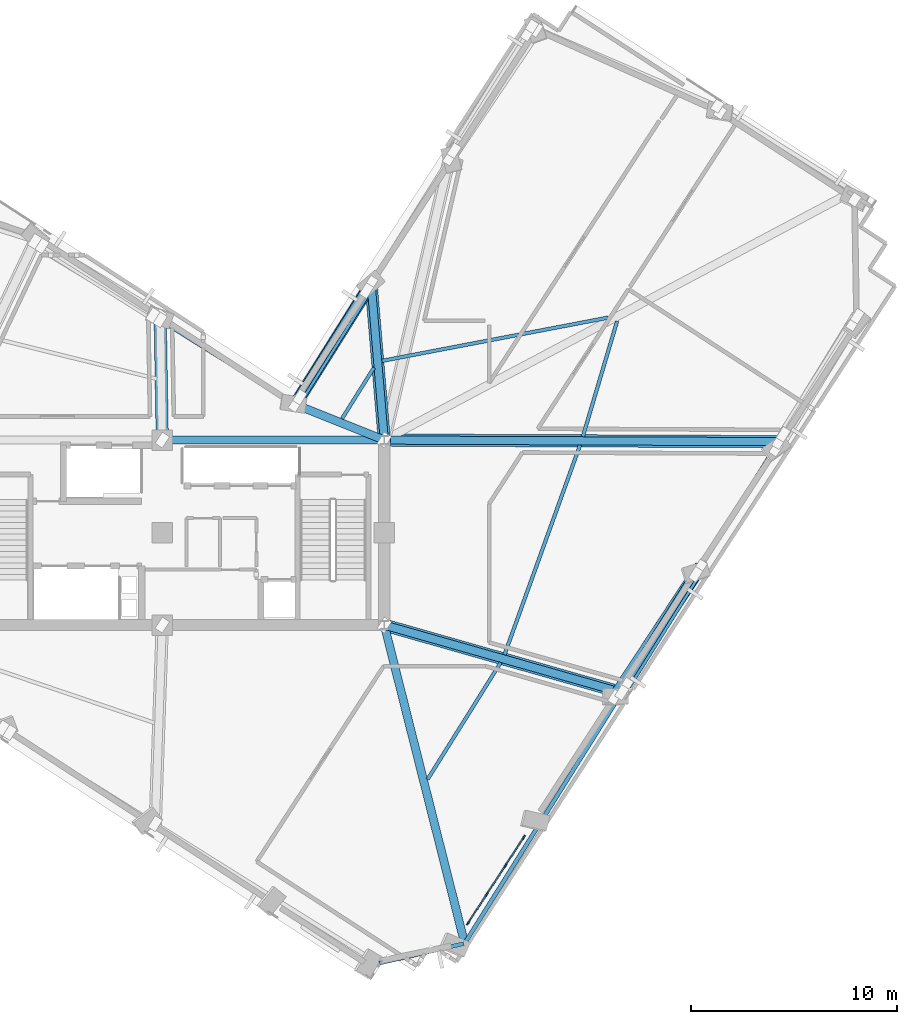
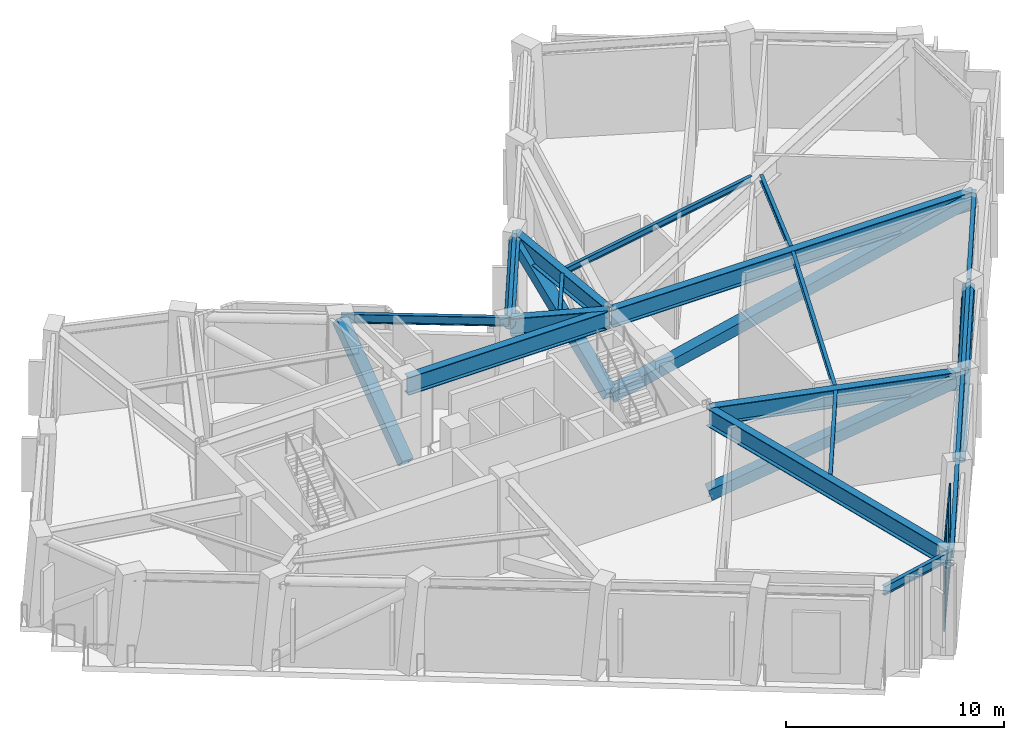
# One storey, part 2 of 11: 21 members, 18 beams, 1 element without a shape of its own.
"""IFC4 building model written with IfcOpenShell, lengths in metres."""

from ifc_helpers import new_model, si_unit, direction, frame, origin, origin_2d, place, context, subcontext, project, spatial, rectangle, hollow_rectangle, hollow_circle, i_section, extrude, material, material_profile, profile_set, type_object, element, aggregate, save


model = new_model("IFC4")

# Units and contexts
model_context = context("Model", 3, precision=1e-05, world=origin(), true_north=direction((0.0, 1.0)))
body_context = subcontext(model_context, "Body", "Model", "MODEL_VIEW")
ifc_project = project(units=[si_unit("LENGTHUNIT", "METRE"), si_unit("AREAUNIT", "SQUARE_METRE"), si_unit("VOLUMEUNIT", "CUBIC_METRE"), si_unit("PLANEANGLEUNIT", "RADIAN"), si_unit("MASSUNIT", "GRAM", prefix="KILO")], contexts=[model_context])

# Site, building, storey
site_placement = place(None, origin())
site = spatial("IfcSite", under=ifc_project, at=site_placement, CompositionType="ELEMENT")
building_placement = place(site_placement, origin())
building = spatial("IfcBuilding", under=site, at=building_placement, Name="Gaonmaruhae Medical Tower", CompositionType="ELEMENT")
storey_placement = place(building_placement, frame((0.0, 0.0, 267.199951171875)))
storey = spatial("IfcBuildingStorey", under=building, at=storey_placement, Name="L64", CompositionType="ELEMENT", Elevation=267.199951171875)

# Beams
ifc_material_1 = material(Name="Steel SM420", Category="steel")
ifc_material_profile_1 = material_profile(ifc_material_1, i_section(OverallWidth=0.39990234375, OverallDepth=1.0, WebThickness=0.02197265625, FlangeThickness=0.035888671875, at=origin_2d()), Name="BH-1000x400x22x36")
ifc_profile_set_1 = profile_set([ifc_material_profile_1], Name="Steel SM420")
beam_type_1 = type_object("IfcBeamType", Name="BG-02 Refuge Floor Primary Girder (BH-1000x400x22x36)", PredefinedType="BEAM", material=ifc_profile_set_1)
beam_1_placement = place(storey_placement, frame((24.85009765625, 16.800048828125, 4.679931640625), z_axis=(1.0, 0.0, 0.0), x_axis=(0.0, 1.0, 0.0)))
element("IfcBeam", 1, at=beam_1_placement, inside=storey, type_object=beam_type_1, Name="L64 Beam BM-L64-CG-N2", PredefinedType="BEAM", context=body_context, shape_type="SweptSolid", body=[
    extrude(i_section(OverallWidth=0.39990234375, OverallDepth=1.0, WebThickness=0.02197265625, FlangeThickness=0.035888671875, at=origin_2d()), origin(), (0.0, 0.0, 1.0), 10.699951171875),
])
beam_2_placement = place(storey_placement, frame((35.6123046875, 7.75146484375, 4.679931640625), z_axis=(0.244814776323, -0.969569866123, 0.0), x_axis=(0.969569866123, 0.244814776323, 0.0)))
element("IfcBeam", 2, at=beam_2_placement, inside=storey, type_object=beam_type_1, Name="L64 Radial Primary Girder S01", PredefinedType="BEAM", context=body_context, shape_type="SweptSolid", body=[
    extrude(i_section(OverallWidth=0.39990234375, OverallDepth=1.0, WebThickness=0.02197265625, FlangeThickness=0.035888671875, at=origin_2d()), origin(), (0.0, 0.0, 1.0), 15.874267578125),
])
beam_3_placement = place(storey_placement, frame((35.648193359375, 7.786376953125, 4.679931640625), z_axis=(0.961910552453, -0.273364388828, 0.0), x_axis=(0.273364388828, 0.961910552453, 0.0)))
element("IfcBeam", 3, at=beam_3_placement, inside=storey, type_object=beam_type_1, Name="L64 Radial Primary Girder S03", PredefinedType="BEAM", context=body_context, shape_type="SweptSolid", body=[
    extrude(i_section(OverallWidth=0.39990234375, OverallDepth=1.0, WebThickness=0.02197265625, FlangeThickness=0.035888671875, at=origin_2d()), origin(), (0.0, 0.0, 1.0), 11.909423828125),
])
beam_4_placement = place(storey_placement, frame((35.64990234375, 16.7998046875, 4.679931640625), z_axis=(0.999991785506, -0.004053260485, 0.0), x_axis=(0.004053260485, 0.999991785506, 0.0)))
element("IfcBeam", 4, at=beam_4_placement, inside=storey, type_object=beam_type_1, Name="L64 Radial Primary Girder S05", PredefinedType="BEAM", context=body_context, shape_type="SweptSolid", body=[
    extrude(i_section(OverallWidth=0.39990234375, OverallDepth=1.0, WebThickness=0.02197265625, FlangeThickness=0.035888671875, at=origin_2d()), origin(), (0.0, 0.0, 1.0), 19.093994140625),
])
beam_5_placement = place(storey_placement, frame((35.595703125, 16.849853515625, 4.679931640625), z_axis=(-0.084110572065, 0.99645642738, 0.0), x_axis=(-0.99645642738, -0.084110572065, 0.0)))
element("IfcBeam", 5, at=beam_5_placement, inside=storey, type_object=beam_type_1, Name="L64 Radial Primary Girder EN02", PredefinedType="BEAM", context=body_context, shape_type="SweptSolid", body=[
    extrude(i_section(OverallWidth=0.39990234375, OverallDepth=1.0, WebThickness=0.02197265625, FlangeThickness=0.035888671875, at=origin_2d()), origin(), (0.0, 0.0, 1.0), 7.5498046875),
])
beam_6_placement = place(storey_placement, frame((35.553466796875, 16.818603515625, 4.679931640625), z_axis=(-0.928520946208, 0.371280018926, 0.0), x_axis=(-0.371280018926, -0.928520946208, 0.0)))
element("IfcBeam", 6, at=beam_6_placement, inside=storey, type_object=beam_type_1, Name="L64 Radial Primary Girder KN01", PredefinedType="BEAM", context=body_context, shape_type="SweptSolid", body=[
    extrude(i_section(OverallWidth=0.39990234375, OverallDepth=1.0, WebThickness=0.02197265625, FlangeThickness=0.035888671875, at=origin_2d()), origin(), (0.0, 0.0, 1.0), 4.564697265625),
])

# Members
ifc_material_2 = material(Name="Steel HSA650 (650 MPa)", Category="steel")
ifc_material_profile_2 = material_profile(ifc_material_2, hollow_circle(Radius=0.25390625, WallThickness=0.01611328125, at=origin_2d()), Name="CHS-508.0x16.0")
ifc_profile_set_2 = profile_set([ifc_material_profile_2], Name="Steel HSA650 (650 MPa)")
member_type_1 = type_object("IfcMemberType", Name="BT-C1 Belt Truss Perimeter Chord (CHS-508.0x16.0)", PredefinedType="CHORD", material=ifc_profile_set_2)
member_1_placement = place(storey_placement, frame((47.375, 4.873046875, 4.830078125), z_axis=(0.530661276733, 0.847583983671, 0.0), x_axis=(-0.847583983671, 0.530661276733, 0.0)))
element("IfcMember", 7, at=member_1_placement, inside=storey, type_object=member_type_1, Name="L64 Belt Truss Top Chord BTC01", PredefinedType="CHORD", context=body_context, shape_type="SweptSolid", body=[
    extrude(hollow_circle(Radius=0.25390625, WallThickness=0.01611328125, at=origin_2d()), origin(), (0.0, 0.0, 1.0), 6.360107421875),
])
member_2_placement = place(storey_placement, frame((34.733642578125, 24.066650390625, 4.830078125), z_axis=(-0.530674006863, -0.84757601337, 0.0), x_axis=(0.84757601337, -0.530674006863, 0.0)))
element("IfcMember", 8, at=member_2_placement, inside=storey, type_object=member_type_1, Name="L64 Belt Truss Top Chord BTC04", PredefinedType="CHORD", context=body_context, shape_type="SweptSolid", body=[
    extrude(hollow_circle(Radius=0.25390625, WallThickness=0.01611328125, at=origin_2d()), origin(), (0.0, 0.0, 1.0), 6.110107421875),
])
ifc_material_profile_3 = material_profile(ifc_material_2, hollow_circle(Radius=0.3046875, WallThickness=0.02197265625, at=origin_2d()), Name="CHS-609.6x22.0")
ifc_profile_set_3 = profile_set([ifc_material_profile_3], Name="Steel HSA650 (650 MPa)")
member_type_2 = type_object("IfcMemberType", Name="BT-D2 Belt Truss Diagonal Tubular (CHS-609.6x22.0)", PredefinedType="BRACE", material=ifc_profile_set_3)
member_3_placement = place(storey_placement, frame((46.81396484375, 4.295166015625, 0.35009765625), z_axis=(0.472832889232, 0.719033518964, 0.509332757112), x_axis=(-0.835532033043, 0.549441736456, 0.0)))
element("IfcMember", 9, at=member_3_placement, inside=storey, type_object=member_type_2, Name="L64 Belt Truss Diagonal BTD01", PredefinedType="BRACE", context=body_context, shape_type="SweptSolid", body=[
    extrude(hollow_circle(Radius=0.3046875, WallThickness=0.02197265625, at=origin_2d()), origin(), (0.0, 0.0, 1.0), 8.7958984375),
])
member_4_placement = place(storey_placement, frame((34.949951171875, 24.400146484375, 0.35009765625), z_axis=(-0.446267494695, -0.711305404674, 0.543037700773), x_axis=(0.847086293338, -0.531455371257, 0.0)))
element("IfcMember", 10, at=member_4_placement, inside=storey, type_object=member_type_2, Name="L64 Belt Truss Diagonal BTD04", PredefinedType="BRACE", context=body_context, shape_type="SweptSolid", body=[
    extrude(hollow_circle(Radius=0.3046875, WallThickness=0.02197265625, at=origin_2d()), origin(), (0.0, 0.0, 1.0), 8.249755859375),
])

# Curtain wall, members
ifc_material_3 = material(Name="Anodised aluminium and Low-E double glazing", Category="aluminium")
curtain_wall_type = type_object("IfcCurtainWallType", Name="CW-S2 Express Sky Lobby Feature Curtain Wall", PredefinedType="NOTDEFINED", material=ifc_material_3)
curtain_wall_placement = place(storey_placement, origin())
curtain_wall = element("IfcCurtainWall", 11, at=curtain_wall_placement, inside=storey, type_object=curtain_wall_type, Name="L64 Curtain Wall CW-L64-S01", PredefinedType="NOTDEFINED")
ifc_material_4 = material(Name="Anodised aluminium 6063-T6", Category="aluminium")
ifc_material_profile_4 = material_profile(ifc_material_4, rectangle(XDim=0.074951171875, YDim=0.219970703125, at=origin_2d()), Name="CWM-75x220")
ifc_profile_set_4 = profile_set([ifc_material_profile_4], Name="Anodised aluminium 6063-T6")
member_type_3 = type_object("IfcMemberType", Name="CWM-1 Heavy Atrium Curtain Wall Mullion (CWM-75x220)", PredefinedType="MULLION", material=ifc_profile_set_4)
member_5_placement = place(storey_placement, frame((42.385986328125, -2.5234375, 0.0), z_axis=(0.0, 0.0, 1.0), x_axis=(0.838667842457, -0.544643231876, 0.0)))
member_5 = element("IfcMember", 12, at=member_5_placement, type_object=member_type_3, Name="CW-S2 mullion 1", PredefinedType="MULLION", context=body_context, shape_type="SweptSolid", body=[
    extrude(rectangle(XDim=0.074951171875, YDim=0.219970703125, at=origin_2d()), origin(), (0.0, 0.0, 1.0), 4.6650390625),
])
member_6_placement = place(storey_placement, frame((41.4892578125, -3.904541015625, 0.0), z_axis=(0.0, 0.0, 1.0), x_axis=(0.838667842457, -0.544643231876, 0.0)))
member_6 = element("IfcMember", 13, at=member_6_placement, type_object=member_type_3, Name="CW-S2 mullion 2", PredefinedType="MULLION", context=body_context, shape_type="SweptSolid", body=[
    extrude(rectangle(XDim=0.074951171875, YDim=0.219970703125, at=origin_2d()), origin(), (0.0, 0.0, 1.0), 4.6650390625),
])
member_7_placement = place(storey_placement, frame((40.572021484375, -5.31689453125, 0.0), z_axis=(0.0, 0.0, 1.0), x_axis=(0.838667842457, -0.544643231876, 0.0)))
member_7 = element("IfcMember", 14, at=member_7_placement, type_object=member_type_3, Name="CW-S2 mullion 3", PredefinedType="MULLION", context=body_context, shape_type="SweptSolid", body=[
    extrude(rectangle(XDim=0.074951171875, YDim=0.219970703125, at=origin_2d()), origin(), (0.0, 0.0, 1.0), 4.6650390625),
])
member_8_placement = place(storey_placement, frame((39.675048828125, -6.69775390625, 0.0), z_axis=(0.0, 0.0, 1.0), x_axis=(0.838667842457, -0.544643231876, 0.0)))
member_8 = element("IfcMember", 15, at=member_8_placement, type_object=member_type_3, Name="CW-S2 mullion 4", PredefinedType="MULLION", context=body_context, shape_type="SweptSolid", body=[
    extrude(rectangle(XDim=0.074951171875, YDim=0.219970703125, at=origin_2d()), origin(), (0.0, 0.0, 1.0), 4.6650390625),
])
ifc_material_profile_5 = material_profile(ifc_material_4, rectangle(XDim=0.06494140625, YDim=0.139892578125, at=origin_2d()), Name="CWT-65x140")
ifc_profile_set_5 = profile_set([ifc_material_profile_5], Name="Anodised aluminium 6063-T6")
member_type_4 = type_object("IfcMemberType", Name="CWT-2 Tower Feature Curtain Wall Transom (CWT-65x140)", PredefinedType="USERDEFINED", material=ifc_profile_set_5)
member_9_placement = place(storey_placement, frame((42.365478515625, -2.554931640625, 0.032470703125), z_axis=(-0.544622471365, -0.838681324273, 0.0), x_axis=(0.838681324273, -0.544622471365, 0.0)))
member_9 = element("IfcMember", 16, at=member_9_placement, type_object=member_type_4, Name="CW-S2 transom 1.1", ObjectType="TRANSOM", PredefinedType="USERDEFINED", context=body_context, shape_type="SweptSolid", body=[
    extrude(rectangle(XDim=0.06494140625, YDim=0.139892578125, at=origin_2d()), origin(), (0.0, 0.0, 1.0), 1.571533203125),
])
member_10_placement = place(storey_placement, frame((42.365478515625, -2.554931640625, 2.33251953125), z_axis=(-0.544622471365, -0.838681324273, 0.0), x_axis=(0.838681324273, -0.544622471365, 0.0)))
member_10 = element("IfcMember", 17, at=member_10_placement, type_object=member_type_4, Name="CW-S2 transom 1.2", ObjectType="TRANSOM", PredefinedType="USERDEFINED", context=body_context, shape_type="SweptSolid", body=[
    extrude(rectangle(XDim=0.06494140625, YDim=0.139892578125, at=origin_2d()), origin(), (0.0, 0.0, 1.0), 1.571533203125),
])
member_11_placement = place(storey_placement, frame((42.365478515625, -2.554931640625, 4.632568359375), z_axis=(-0.544622471365, -0.838681324273, 0.0), x_axis=(0.838681324273, -0.544622471365, 0.0)))
member_11 = element("IfcMember", 18, at=member_11_placement, type_object=member_type_4, Name="CW-S2 transom 1.3", ObjectType="TRANSOM", PredefinedType="USERDEFINED", context=body_context, shape_type="SweptSolid", body=[
    extrude(rectangle(XDim=0.06494140625, YDim=0.139892578125, at=origin_2d()), origin(), (0.0, 0.0, 1.0), 1.571533203125),
])
member_12_placement = place(storey_placement, frame((41.46875, -3.93603515625, 0.032470703125), z_axis=(-0.544716325085, -0.838620370124, 0.0), x_axis=(0.838620370124, -0.544716325085, 0.0)))
member_12 = element("IfcMember", 19, at=member_12_placement, type_object=member_type_4, Name="CW-S2 transom 2.1", ObjectType="TRANSOM", PredefinedType="USERDEFINED", context=body_context, shape_type="SweptSolid", body=[
    extrude(rectangle(XDim=0.06494140625, YDim=0.139892578125, at=origin_2d()), origin(), (0.0, 0.0, 1.0), 1.609130859375),
])
member_13_placement = place(storey_placement, frame((41.46875, -3.93603515625, 2.33251953125), z_axis=(-0.544716325085, -0.838620370124, 0.0), x_axis=(0.838620370124, -0.544716325085, 0.0)))
member_13 = element("IfcMember", 20, at=member_13_placement, type_object=member_type_4, Name="CW-S2 transom 2.2", ObjectType="TRANSOM", PredefinedType="USERDEFINED", context=body_context, shape_type="SweptSolid", body=[
    extrude(rectangle(XDim=0.06494140625, YDim=0.139892578125, at=origin_2d()), origin(), (0.0, 0.0, 1.0), 1.609130859375),
])
member_14_placement = place(storey_placement, frame((41.46875, -3.93603515625, 4.632568359375), z_axis=(-0.544716325085, -0.838620370124, 0.0), x_axis=(0.838620370124, -0.544716325085, 0.0)))
member_14 = element("IfcMember", 21, at=member_14_placement, type_object=member_type_4, Name="CW-S2 transom 2.3", ObjectType="TRANSOM", PredefinedType="USERDEFINED", context=body_context, shape_type="SweptSolid", body=[
    extrude(rectangle(XDim=0.06494140625, YDim=0.139892578125, at=origin_2d()), origin(), (0.0, 0.0, 1.0), 1.609130859375),
])
member_15_placement = place(storey_placement, frame((40.551513671875, -5.348388671875, 0.032470703125), z_axis=(-0.544622471365, -0.838681324273, 0.0), x_axis=(0.838681324273, -0.544622471365, 0.0)))
member_15 = element("IfcMember", 22, at=member_15_placement, type_object=member_type_4, Name="CW-S2 transom 3.1", ObjectType="TRANSOM", PredefinedType="USERDEFINED", context=body_context, shape_type="SweptSolid", body=[
    extrude(rectangle(XDim=0.06494140625, YDim=0.139892578125, at=origin_2d()), origin(), (0.0, 0.0, 1.0), 1.571533203125),
])
member_16_placement = place(storey_placement, frame((40.551513671875, -5.348388671875, 2.33251953125), z_axis=(-0.544622471365, -0.838681324273, 0.0), x_axis=(0.838681324273, -0.544622471365, 0.0)))
member_16 = element("IfcMember", 23, at=member_16_placement, type_object=member_type_4, Name="CW-S2 transom 3.2", ObjectType="TRANSOM", PredefinedType="USERDEFINED", context=body_context, shape_type="SweptSolid", body=[
    extrude(rectangle(XDim=0.06494140625, YDim=0.139892578125, at=origin_2d()), origin(), (0.0, 0.0, 1.0), 1.571533203125),
])
member_17_placement = place(storey_placement, frame((40.551513671875, -5.348388671875, 4.632568359375), z_axis=(-0.544622471365, -0.838681324273, 0.0), x_axis=(0.838681324273, -0.544622471365, 0.0)))
member_17 = element("IfcMember", 24, at=member_17_placement, type_object=member_type_4, Name="CW-S2 transom 3.3", ObjectType="TRANSOM", PredefinedType="USERDEFINED", context=body_context, shape_type="SweptSolid", body=[
    extrude(rectangle(XDim=0.06494140625, YDim=0.139892578125, at=origin_2d()), origin(), (0.0, 0.0, 1.0), 1.571533203125),
])
aggregate(curtain_wall, [member_5, member_6, member_7, member_8, member_9, member_10, member_11, member_12, member_13, member_14, member_15, member_16, member_17])

# Beams
ifc_material_5 = material(Name="Steel SM355", Category="steel")
ifc_material_profile_6 = material_profile(ifc_material_5, i_section(OverallWidth=0.175048828125, OverallDepth=0.35009765625, WebThickness=0.007080078125, FlangeThickness=0.010986328125, FilletRadius=0.012939453125, at=origin_2d()), Name="H-350x175x7x11")
ifc_profile_set_6 = profile_set([ifc_material_profile_6], Name="Steel SM355")
beam_type_2 = type_object("IfcBeamType", Name="FJ-02 Upper Zone Ward Floor Joist (H-350x175x7x11)", PredefinedType="JOIST", material=ifc_profile_set_6)
beam_7_placement = place(storey_placement, frame((37.70556640625, 0.295654296875, 5.005126953125), z_axis=(0.530660139042, 0.847584695964, 0.0), x_axis=(-0.847584695964, 0.530660139042, 0.0)))
element("IfcBeam", 25, at=beam_7_placement, inside=storey, type_object=beam_type_2, Name="L64 Secondary Floor Joist FJ01", PredefinedType="JOIST", context=body_context, shape_type="SweptSolid", body=[
    extrude(i_section(OverallWidth=0.175048828125, OverallDepth=0.35009765625, WebThickness=0.007080078125, FlangeThickness=0.010986328125, FilletRadius=0.012939453125, at=origin_2d()), origin(), (0.0, 0.0, 1.0), 6.70263671875),
])
beam_8_placement = place(storey_placement, frame((41.446044921875, 6.352783203125, 5.005126953125), z_axis=(0.339023164537, 0.940778025842, 0.0), x_axis=(-0.940778025842, 0.339023164537, 0.0)))
element("IfcBeam", 26, at=beam_8_placement, inside=storey, type_object=beam_type_2, Name="L64 Secondary Floor Joist FJ02", PredefinedType="JOIST", context=body_context, shape_type="SweptSolid", body=[
    extrude(i_section(OverallWidth=0.175048828125, OverallDepth=0.35009765625, WebThickness=0.007080078125, FlangeThickness=0.010986328125, FilletRadius=0.012939453125, at=origin_2d()), origin(), (0.0, 0.0, 1.0), 10.84521484375),
])
beam_9_placement = place(storey_placement, frame((45.2578125, 16.966552734375, 5.005126953125), z_axis=(0.284673121791, 0.958624646945, 0.0), x_axis=(-0.958624646945, 0.284673121791, 0.0)))
element("IfcBeam", 27, at=beam_9_placement, inside=storey, type_object=beam_type_2, Name="L64 Secondary Floor Joist FJ03", PredefinedType="JOIST", context=body_context, shape_type="SweptSolid", body=[
    extrude(i_section(OverallWidth=0.175048828125, OverallDepth=0.35009765625, WebThickness=0.007080078125, FlangeThickness=0.010986328125, FilletRadius=0.012939453125, at=origin_2d()), origin(), (0.0, 0.0, 1.0), 5.855712890625),
])
beam_10_placement = place(storey_placement, frame((46.4833984375, 22.754638671875, 5.005126953125), z_axis=(-0.98219175057, -0.187881252689, 0.0), x_axis=(0.187881252689, -0.98219175057, 0.0)))
element("IfcBeam", 28, at=beam_10_placement, inside=storey, type_object=beam_type_2, Name="L64 Secondary Floor Joist FJ04", PredefinedType="JOIST", context=body_context, shape_type="SweptSolid", body=[
    extrude(i_section(OverallWidth=0.175048828125, OverallDepth=0.35009765625, WebThickness=0.007080078125, FlangeThickness=0.010986328125, FilletRadius=0.012939453125, at=origin_2d()), origin(), (0.0, 0.0, 1.0), 11.201171875),
])
beam_11_placement = place(storey_placement, frame((35.09814453125, 20.32373046875, 5.005126953125), z_axis=(-0.530658671012, -0.847585615074, 0.0), x_axis=(0.847585615074, -0.530658671012, 0.0)))
element("IfcBeam", 29, at=beam_11_placement, inside=storey, type_object=beam_type_2, Name="L64 Secondary Floor Joist FJ05", PredefinedType="JOIST", context=body_context, shape_type="SweptSolid", body=[
    extrude(i_section(OverallWidth=0.175048828125, OverallDepth=0.35009765625, WebThickness=0.007080078125, FlangeThickness=0.010986328125, FilletRadius=0.012939453125, at=origin_2d()), origin(), (0.0, 0.0, 1.0), 2.926513671875),
])

# Members
ifc_material_profile_7 = material_profile(ifc_material_2, hollow_rectangle(XDim=0.60009765625, YDim=0.60009765625, WallThickness=0.028076171875, at=origin_2d()), Name="RHS-600x600x28")
ifc_profile_set_7 = profile_set([ifc_material_profile_7], Name="Steel HSA650 (650 MPa)")
member_type_5 = type_object("IfcMemberType", Name="OT-D2 Outrigger Truss Diagonal Upper (RHS-600x600x28)", PredefinedType="BRACE", material=ifc_profile_set_7)
member_18_placement = place(storey_placement, frame((35.60009765625, 7.800048828125, 0.35009765625), z_axis=(0.901244670271, -0.256124375618, 0.349511585677), x_axis=(0.27336494443, 0.961910394557, 0.0)))
element("IfcMember", 30, at=member_18_placement, inside=storey, type_object=member_type_5, Name="L64 Outrigger Truss Diagonal OTD01", PredefinedType="BRACE", context=body_context, shape_type="SweptSolid", body=[
    extrude(hollow_rectangle(XDim=0.60009765625, YDim=0.60009765625, WallThickness=0.028076171875, at=origin_2d()), origin(), (0.0, 0.0, 1.0), 12.81787109375),
])
member_19_placement = place(storey_placement, frame((35.60009765625, 16.800048828125, 0.35009765625), z_axis=(0.973817066991, -0.003951405477, 0.227298716299), x_axis=(0.004057613162, 0.999991767854, 0.0)))
element("IfcMember", 31, at=member_19_placement, inside=storey, type_object=member_type_5, Name="L64 Outrigger Truss Diagonal OTD02", PredefinedType="BRACE", context=body_context, shape_type="SweptSolid", body=[
    extrude(hollow_rectangle(XDim=0.60009765625, YDim=0.60009765625, WallThickness=0.028076171875, at=origin_2d()), origin(), (0.0, 0.0, 1.0), 19.709716796875),
])
member_20_placement = place(storey_placement, frame((35.60009765625, 16.800048828125, 0.35009765625), z_axis=(-0.07259520364, 0.859851080441, 0.505357354625), x_axis=(-0.996454927012, -0.084128345, 0.0)))
element("IfcMember", 32, at=member_20_placement, inside=storey, type_object=member_type_5, Name="L64 Outrigger Truss Diagonal OTD04", PredefinedType="BRACE", context=body_context, shape_type="SweptSolid", body=[
    extrude(hollow_rectangle(XDim=0.60009765625, YDim=0.60009765625, WallThickness=0.028076171875, at=origin_2d()), origin(), (0.0, 0.0, 1.0), 8.864990234375),
])
member_21_placement = place(storey_placement, frame((24.800048828125, 16.800048828125, 0.35009765625), z_axis=(-0.013624763314, 0.793584450029, 0.608307559131), x_axis=(-0.999852651526, -0.01716610718, 0.0)))
element("IfcMember", 33, at=member_21_placement, inside=storey, type_object=member_type_5, Name="L64 Outrigger Truss Diagonal OTD05", PredefinedType="BRACE", context=body_context, shape_type="SweptSolid", body=[
    extrude(hollow_rectangle(XDim=0.60009765625, YDim=0.60009765625, WallThickness=0.028076171875, at=origin_2d()), origin(), (0.0, 0.0, 1.0), 7.36474609375),
])

# Beams
ifc_material_profile_8 = material_profile(ifc_material_5, i_section(OverallWidth=0.199951171875, OverallDepth=0.5, WebThickness=0.010009765625, FlangeThickness=0.01611328125, FilletRadius=0.012939453125, at=origin_2d()), Name="H-500x200x10x16")
ifc_profile_set_8 = profile_set([ifc_material_profile_8], Name="Steel SM355")
beam_type_3 = type_object("IfcBeamType", Name="SP-02 Upper Perimeter Spandrel Beam (H-500x200x10x16)", PredefinedType="SPANDREL", material=ifc_profile_set_8)
for number, where, z_axis, x_axis, name in (
    (34, (39.531982421875, -7.654296875, 4.929931640625), (0.530670701817, 0.847578082676, 0.0), (-0.847578082676, 0.530670701817, 0.0), "L64 Perimeter Spandrel Beam S01-S02"),
    (35, (43.352783203125, -1.5517578125, 4.929931640625), (0.530630645092, 0.847603160972, 0.0), (-0.847603160972, 0.530630645092, 0.0), "L64 Perimeter Spandrel Beam S02-S03"),
):
    element("IfcBeam", number, at=place(storey_placement, frame(where, z_axis=z_axis, x_axis=x_axis)), inside=storey, type_object=beam_type_3, Name=name, PredefinedType="SPANDREL", context=body_context, shape_type="SweptSolid", body=[
        extrude(i_section(OverallWidth=0.199951171875, OverallDepth=0.5, WebThickness=0.010009765625, FlangeThickness=0.01611328125, FilletRadius=0.012939453125, at=origin_2d()), origin(), (0.0, 0.0, 1.0), 7.119873046875),
    ])
beam_12_placement = place(storey_placement, frame((47.17333984375, 4.55078125, 4.929931640625), z_axis=(0.530655279093, 0.847587738686, 0.0), x_axis=(-0.847587738686, 0.530655279093, 0.0)))
element("IfcBeam", 36, at=beam_12_placement, inside=storey, type_object=beam_type_3, Name="L64 Perimeter Spandrel Beam S03-S04", PredefinedType="SPANDREL", context=body_context, shape_type="SweptSolid", body=[
    extrude(i_section(OverallWidth=0.199951171875, OverallDepth=0.5, WebThickness=0.010009765625, FlangeThickness=0.01611328125, FilletRadius=0.012939453125, at=origin_2d()), origin(), (0.0, 0.0, 1.0), 7.1201171875),
])
beam_13_placement = place(storey_placement, frame((50.994140625, 10.653564453125, 4.929931640625), z_axis=(0.530670701817, 0.847578082676, 0.0), x_axis=(-0.847578082676, 0.530670701817, 0.0)))
element("IfcBeam", 37, at=beam_13_placement, inside=storey, type_object=beam_type_3, Name="L64 Perimeter Spandrel Beam S04-S05", PredefinedType="SPANDREL", context=body_context, shape_type="SweptSolid", body=[
    extrude(i_section(OverallWidth=0.199951171875, OverallDepth=0.5, WebThickness=0.010009765625, FlangeThickness=0.01611328125, FilletRadius=0.012939453125, at=origin_2d()), origin(), (0.0, 0.0, 1.0), 7.119873046875),
])
beam_14_placement = place(storey_placement, frame((34.935302734375, 24.388671875, 4.929931640625), z_axis=(-0.530682366679, -0.847570779166, 0.0), x_axis=(0.847570779166, -0.530682366679, 0.0)))
element("IfcBeam", 38, at=beam_14_placement, inside=storey, type_object=beam_type_3, Name="L64 Perimeter Spandrel Beam EN02-KN01", PredefinedType="SPANDREL", context=body_context, shape_type="SweptSolid", body=[
    extrude(i_section(OverallWidth=0.199951171875, OverallDepth=0.5, WebThickness=0.010009765625, FlangeThickness=0.01611328125, FilletRadius=0.012939453125, at=origin_2d()), origin(), (0.0, 0.0, 1.0), 6.869873046875),
])
beam_15_placement = place(storey_placement, frame((31.234619140625, 18.55322265625, 4.929931640625), z_axis=(-0.847590332824, 0.530651135591, 0.0), x_axis=(-0.530651135591, -0.847590332824, 0.0)))
element("IfcBeam", 39, at=beam_15_placement, inside=storey, type_object=beam_type_3, Name="L64 Perimeter Spandrel Beam KN01-NE01", PredefinedType="SPANDREL", context=body_context, shape_type="SweptSolid", body=[
    extrude(i_section(OverallWidth=0.199951171875, OverallDepth=0.5, WebThickness=0.010009765625, FlangeThickness=0.01611328125, FilletRadius=0.012939453125, at=origin_2d()), origin(), (0.0, 0.0, 1.0), 7.669921875),
])
beam_16_placement = place(storey_placement, frame((35.345947265625, -8.64599609375, 4.929931640625), z_axis=(0.974564885913, 0.22410551788, 0.0), x_axis=(-0.22410551788, 0.974564885913, 0.0)))
element("IfcBeam", 40, at=beam_16_placement, inside=storey, type_object=beam_type_3, Name="L64 Perimeter Spandrel Beam W06-S01", PredefinedType="SPANDREL", context=body_context, shape_type="SweptSolid", body=[
    extrude(i_section(OverallWidth=0.199951171875, OverallDepth=0.5, WebThickness=0.010009765625, FlangeThickness=0.01611328125, FilletRadius=0.012939453125, at=origin_2d()), origin(), (0.0, 0.0, 1.0), 4.2333984375),
])

save(model, "model.ifc")
